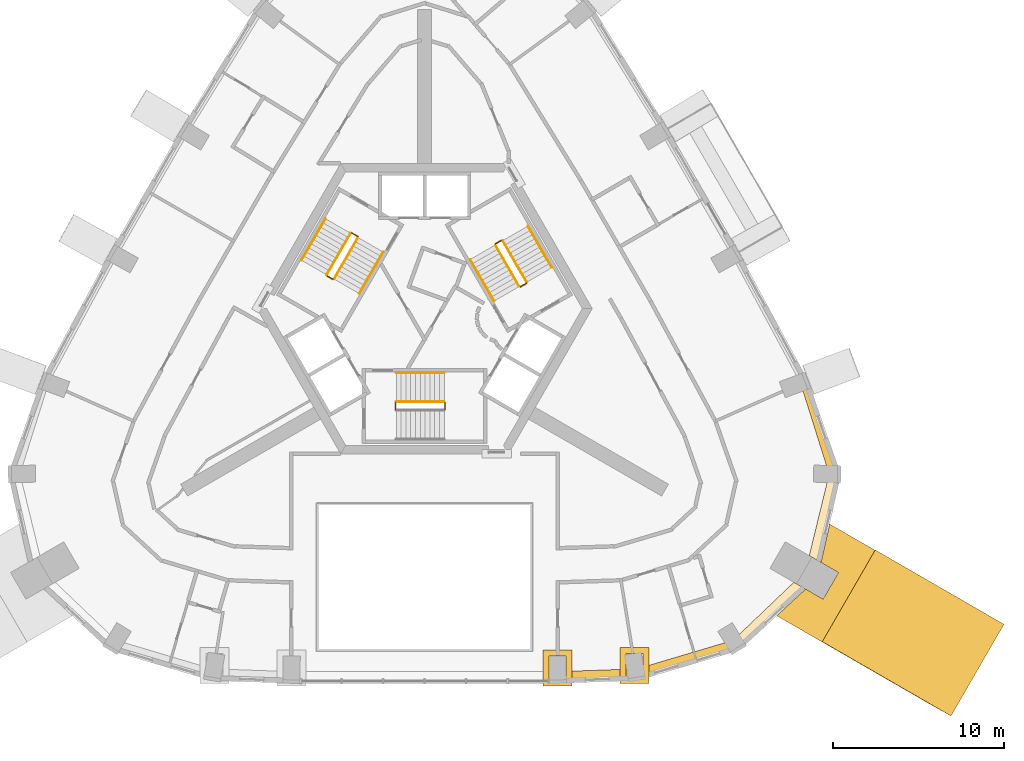
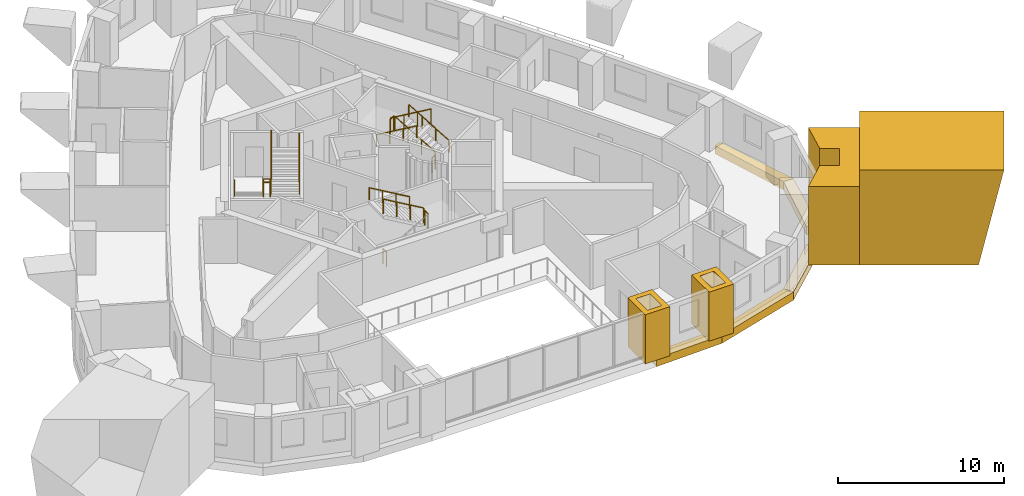
# One storey, part 10 of 11: 16 railings, 9 coverings.
"""IFC4 building model written with IfcOpenShell, lengths in metres."""

from ifc_helpers import new_model, si_unit, direction, frame, origin, origin_2d, place, context, subcontext, project, spatial, polyline, circle, outline, extrude, material, type_object, element, save


model = new_model("IFC4")

# Units and contexts
model_context = context("Model", 3, precision=1e-05, world=origin(), true_north=direction((0.0, 1.0)))
body_context = subcontext(model_context, "Body", "Model", "MODEL_VIEW")
ifc_project = project(units=[si_unit("LENGTHUNIT", "METRE"), si_unit("AREAUNIT", "SQUARE_METRE"), si_unit("VOLUMEUNIT", "CUBIC_METRE"), si_unit("PLANEANGLEUNIT", "RADIAN"), si_unit("MASSUNIT", "GRAM", prefix="KILO")], contexts=[model_context])

# Site, building, storey
site_placement = place(None, origin())
site = spatial("IfcSite", under=ifc_project, at=site_placement, CompositionType="ELEMENT")
building_placement = place(site_placement, origin())
building = spatial("IfcBuilding", under=site, at=building_placement, Name="Entoto Arch Interchange Tower", CompositionType="ELEMENT")
storey_placement = place(building_placement, frame((0.0, 0.0, 318.800048828125)))
storey = spatial("IfcBuildingStorey", under=building, at=storey_placement, Name="L75", CompositionType="ELEMENT", Elevation=318.800048828125)

# Coverings
ifc_material_1 = material(Name="Board-marked precast concrete C50/60", Category="concrete")
covering_type_1 = type_object("IfcCoveringType", Name="PRECAST FRAME COURSE", PredefinedType="CLADDING", material=ifc_material_1)
covering_1_placement = place(storey_placement, frame((0.0, 0.0, -0.340087890625)))
element("IfcCovering", 1, at=covering_1_placement, inside=storey, type_object=covering_type_1, Name="Corner pilaster SE L75-L76", PredefinedType="CLADDING", context=body_context, shape_type="SweptSolid", body=[
    extrude(outline(polyline([(26.364990234375, -11.64208984375), (23.264892578125, -17.011962890625), (20.610107421875, -15.47900390625), (22.302978515625, -13.916015625), (23.324951171875, -14.506103515625), (24.22509765625, -12.947998046875), (23.202880859375, -12.35693359375), (23.7099609375, -10.110107421875), (26.364990234375, -11.64208984375)])), origin(), (0.0, 0.0, 1.0), 5.739990234375),
])
covering_2_placement = place(storey_placement, frame((23.264892578125, -17.011962890625, -0.340087890625), z_axis=(-0.499982571639, -0.866030529873, 0.002923933165), x_axis=(0.866034232125, -0.499984708554, 1.46231e-07)))
element("IfcCovering", 2, at=covering_2_placement, inside=storey, type_object=covering_type_1, Name="Corner rib SE L75-L76", PredefinedType="CLADDING", context=body_context, shape_type="SweptSolid", body=[
    extrude(outline(polyline([(0.0, 0.0), (7.1751573811178675, 0.0), (8.699476716856585, 6.939969800415016), (-0.00036311234002583617, 6.939972121846535), (0.0, 0.0)])), origin(), (0.0, 0.0, -1.0), 6.199951171875),
])
covering_3_placement = place(storey_placement, frame((0.0, 0.0, -0.340087890625)))
element("IfcCovering", 3, at=covering_3_placement, inside=storey, type_object=covering_type_1, Name="Gate pier L75", PredefinedType="CLADDING", context=body_context, shape_type="SweptSolid", body=[
    extrude(outline(polyline([(6.931884765625, -17.47802734375), (8.632080078125, -17.47802734375), (8.632080078125, -19.577880859375), (6.931884765625, -19.577880859375), (6.931884765625, -17.47802734375)]), holes=[polyline([(7.281982421875, -17.827880859375), (7.281982421875, -19.22802734375), (8.281982421875, -19.22802734375), (8.281982421875, -17.827880859375), (7.281982421875, -17.827880859375)])]), origin(), (0.0, 0.0, 1.0), 3.60009765625),
])
covering_4_placement = place(storey_placement, frame((0.0, 0.0, -0.340087890625)))
element("IfcCovering", 4, at=covering_4_placement, inside=storey, type_object=covering_type_1, Name="Gate pier L75", PredefinedType="CLADDING", context=body_context, shape_type="SweptSolid", body=[
    extrude(outline(polyline([(11.447021484375, -17.3349609375), (13.14697265625, -17.3349609375), (13.14697265625, -19.43505859375), (11.447021484375, -19.43505859375), (11.447021484375, -17.3349609375)]), holes=[polyline([(11.797119140625, -17.68505859375), (11.797119140625, -19.0849609375), (12.797119140625, -19.0849609375), (12.797119140625, -17.68505859375), (11.797119140625, -17.68505859375)])]), origin(), (0.0, 0.0, 1.0), 3.60009765625),
])
covering_type_2 = type_object("IfcCoveringType", Name="PRECAST LEDGE COURSE", PredefinedType="CLADDING", material=ifc_material_1)
covering_5_placement = place(storey_placement, frame((0.0, 0.0, -0.93994140625)))
element("IfcCovering", 5, at=covering_5_placement, inside=storey, type_object=covering_type_2, Name="Precast course S-03 L75", PredefinedType="CLADDING", context=body_context, shape_type="SweptSolid", body=[
    extrude(outline(polyline([(12.447998046875, -18.5810546875), (12.447998046875, -19.27197265625), (7.800048828125, -19.427978515625), (7.800048828125, -18.74609375), (12.447998046875, -18.5810546875)])), origin(), (0.0, 0.0, 1.0), 0.599853515625),
])
covering_6_placement = place(storey_placement, frame((0.0, 0.0, -0.93994140625)))
element("IfcCovering", 6, at=covering_6_placement, inside=storey, type_object=covering_type_2, Name="Precast course SE-01 L75", PredefinedType="CLADDING", context=body_context, shape_type="SweptSolid", body=[
    extrude(outline(polyline([(18.05810546875, -16.910888671875), (18.41796875, -17.501953125), (12.447998046875, -19.27197265625), (12.447998046875, -18.5810546875), (18.05810546875, -16.910888671875)])), origin(), (0.0, 0.0, 1.0), 0.599853515625),
])
covering_7_placement = place(storey_placement, frame((0.0, 0.0, -0.93994140625)))
element("IfcCovering", 7, at=covering_7_placement, inside=storey, type_object=covering_type_2, Name="Precast course SE-02 L75", PredefinedType="CLADDING", context=body_context, shape_type="SweptSolid", body=[
    extrude(outline(polyline([(21.611083984375, -13.51708984375), (22.302978515625, -13.916015625), (18.41796875, -17.501953125), (18.05810546875, -16.910888671875), (21.611083984375, -13.51708984375)])), origin(), (0.0, 0.0, 1.0), 0.599853515625),
])
covering_8_placement = place(storey_placement, frame((0.0, 0.0, -0.93994140625)))
element("IfcCovering", 8, at=covering_8_placement, inside=storey, type_object=covering_type_2, Name="Precast course SE-03 L75", PredefinedType="CLADDING", context=body_context, shape_type="SweptSolid", body=[
    extrude(outline(polyline([(23.675048828125, -7.181884765625), (24.365966796875, -7.198974609375), (23.202880859375, -12.35791015625), (22.510986328125, -11.9580078125), (23.675048828125, -7.181884765625)])), origin(), (0.0, 0.0, 1.0), 0.599853515625),
])
covering_9_placement = place(storey_placement, frame((0.0, 0.0, -0.93994140625)))
element("IfcCovering", 9, at=covering_9_placement, inside=storey, type_object=covering_type_2, Name="Precast course SE-04 L75", PredefinedType="CLADDING", context=body_context, shape_type="SweptSolid", body=[
    extrude(outline(polyline([(21.99609375, -1.85205078125), (22.43310546875, -1.68798828125), (24.365966796875, -7.198974609375), (23.675048828125, -7.181884765625), (21.99609375, -1.85205078125)])), origin(), (0.0, 0.0, 1.0), 0.599853515625),
])

# Railings
ifc_material_2 = material(Name="Stainless steel 1.4301", Category="steel")
railing_type_1 = type_object("IfcRailingType", Name="STAIR GUARD 1100 STEEL", PredefinedType="GUARDRAIL", material=ifc_material_2)
railing_1_placement = place(storey_placement, frame((1.199951171875, -3.39990234375, 1.800048828125)))
element("IfcRailing", 10, at=railing_1_placement, inside=storey, type_object=railing_type_1, Name="L75 ST-S stair guard 2", PredefinedType="GUARDRAIL", context=body_context, shape_type="SweptSolid", body=[
    extrude(circle(Radius=0.02392578125, at=origin_2d()), frame((0.0, 0.0, 1.076171875), z_axis=(0.0, 1.0, 0.0), x_axis=(-1.0, 0.0, 0.0)), (0.0, 0.0, 1.0), 0.39990234375),
    extrude(circle(Radius=0.02099609375, at=origin_2d()), origin(), (0.0, 0.0, 1.0), 1.052001953125),
    extrude(circle(Radius=0.02099609375, at=origin_2d()), frame((0.0, 0.39990234375, 0.0)), (0.0, 0.0, 1.0), 1.052001953125),
])
railing_2_placement = place(storey_placement, frame((1.14990234375, -2.949951171875, 1.963623046875)))
element("IfcRailing", 11, at=railing_2_placement, inside=storey, type_object=railing_type_1, Name="L75 ST-S stair guard 3", PredefinedType="GUARDRAIL", context=body_context, shape_type="SweptSolid", body=[
    extrude(circle(Radius=0.02392578125, at=origin_2d()), frame((0.0, 0.0, 1.076171875), z_axis=(-0.863374499697, 0.0, 0.504563646405), x_axis=(0.0, -1.0, 0.0)), (0.0, 0.0, 1.0), 3.242919921875),
    extrude(circle(Radius=0.02099609375, at=origin_2d()), origin(), (0.0, 0.0, 1.0), 1.052001953125),
    extrude(circle(Radius=0.02099609375, at=origin_2d()), frame((-0.933349609375, 0.0, 0.54541015625)), (0.0, 0.0, 1.0), 1.052001953125),
    extrude(circle(Radius=0.02099609375, at=origin_2d()), frame((-1.866455078125, 0.0, 1.0908203125)), (0.0, 0.0, 1.0), 1.052001953125),
    extrude(circle(Radius=0.02099609375, at=origin_2d()), frame((-2.7998046875, 0.0, 1.63623046875)), (0.0, 0.0, 1.0), 1.052001953125),
])
railing_3_placement = place(storey_placement, frame((-1.699951171875, -3.39990234375, 0.0)))
element("IfcRailing", 12, at=railing_3_placement, inside=storey, type_object=railing_type_1, Name="L75 ST-S stair guard 4", PredefinedType="GUARDRAIL", context=body_context, shape_type="SweptSolid", body=[
    extrude(circle(Radius=0.02392578125, at=origin_2d()), frame((0.0, 0.0, 1.076171875), z_axis=(0.0, 1.0, 0.0), x_axis=(-1.0, 0.0, 0.0)), (0.0, 0.0, 1.0), 0.39990234375),
    extrude(circle(Radius=0.02099609375, at=origin_2d()), origin(), (0.0, 0.0, 1.0), 1.052001953125),
    extrude(circle(Radius=0.02099609375, at=origin_2d()), frame((0.0, 0.39990234375, 0.0)), (0.0, 0.0, 1.0), 1.052001953125),
])
railing_4_placement = place(storey_placement, frame((5.977783203125, 4.046142578125, 0.16357421875)))
element("IfcRailing", 13, at=railing_4_placement, inside=storey, type_object=railing_type_1, Name="L75 ST-NE stair guard 1", PredefinedType="GUARDRAIL", context=body_context, shape_type="SweptSolid", body=[
    extrude(circle(Radius=0.02392578125, at=origin_2d()), frame((0.0, 0.0, 1.076171875), z_axis=(-0.431660630283, 0.747689811644, 0.504607813879), x_axis=(-0.866034573852, -0.49998411664, 0.0)), (0.0, 0.0, 1.0), 3.2431640625),
    extrude(circle(Radius=0.02099609375, at=origin_2d()), origin(), (0.0, 0.0, 1.0), 1.052001953125),
    extrude(circle(Radius=0.02099609375, at=origin_2d()), frame((-0.466552734375, 0.808349609375, 0.54541015625)), (0.0, 0.0, 1.0), 1.052001953125),
    extrude(circle(Radius=0.02099609375, at=origin_2d()), frame((-0.933349609375, 1.616455078125, 1.091064453125)), (0.0, 0.0, 1.0), 1.052001953125),
    extrude(circle(Radius=0.02099609375, at=origin_2d()), frame((-1.39990234375, 2.4248046875, 1.636474609375)), (0.0, 0.0, 1.0), 1.052001953125),
])
railing_5_placement = place(storey_placement, frame((4.509521484375, 6.4892578125, 1.800048828125)))
element("IfcRailing", 14, at=railing_5_placement, inside=storey, type_object=railing_type_1, Name="L75 ST-NE stair guard 2", PredefinedType="GUARDRAIL", context=body_context, shape_type="SweptSolid", body=[
    extrude(circle(Radius=0.02392578125, at=origin_2d()), frame((0.0, 0.0, 1.076171875), z_axis=(-0.866094119867, -0.499880961361, 0.0), x_axis=(0.499880961361, -0.866094119867, 0.0)), (0.0, 0.0, 1.0), 0.39990234375),
    extrude(circle(Radius=0.02099609375, at=origin_2d()), origin(), (0.0, 0.0, 1.0), 1.052001953125),
    extrude(circle(Radius=0.02099609375, at=origin_2d()), frame((-0.346435546875, -0.199951171875, 0.0)), (0.0, 0.0, 1.0), 1.052001953125),
])
railing_6_placement = place(storey_placement, frame((4.144775390625, 6.220947265625, 1.963623046875)))
element("IfcRailing", 15, at=railing_6_placement, inside=storey, type_object=railing_type_1, Name="L75 ST-NE stair guard 3", PredefinedType="GUARDRAIL", context=body_context, shape_type="SweptSolid", body=[
    extrude(circle(Radius=0.02392578125, at=origin_2d()), frame((0.0, 0.0, 1.076171875), z_axis=(0.431738279637, -0.747693913401, 0.504535300807), x_axis=(0.865996816683, 0.500049511043, 0.0)), (0.0, 0.0, 1.0), 3.2431640625),
    extrude(circle(Radius=0.02099609375, at=origin_2d()), origin(), (0.0, 0.0, 1.0), 1.052001953125),
    extrude(circle(Radius=0.02099609375, at=origin_2d()), frame((0.466796875, -0.808349609375, 0.54541015625)), (0.0, 0.0, 1.0), 1.052001953125),
    extrude(circle(Radius=0.02099609375, at=origin_2d()), frame((0.933349609375, -1.616455078125, 1.0908203125)), (0.0, 0.0, 1.0), 1.052001953125),
    extrude(circle(Radius=0.02099609375, at=origin_2d()), frame((1.400146484375, -2.4248046875, 1.63623046875)), (0.0, 0.0, 1.0), 1.052001953125),
])
railing_7_placement = place(storey_placement, frame((5.95947265625, 3.977783203125, 0.0)))
element("IfcRailing", 16, at=railing_7_placement, inside=storey, type_object=railing_type_1, Name="L75 ST-NE stair guard 4", PredefinedType="GUARDRAIL", context=body_context, shape_type="SweptSolid", body=[
    extrude(circle(Radius=0.02392578125, at=origin_2d()), frame((0.0, 0.0, 1.076171875), z_axis=(-0.866094119867, -0.499880961361, 0.0), x_axis=(0.499880961361, -0.866094119867, 0.0)), (0.0, 0.0, 1.0), 0.39990234375),
    extrude(circle(Radius=0.02099609375, at=origin_2d()), origin(), (0.0, 0.0, 1.0), 1.052001953125),
    extrude(circle(Radius=0.02099609375, at=origin_2d()), frame((-0.346435546875, -0.199951171875, 0.0)), (0.0, 0.0, 1.0), 1.052001953125),
])
railing_8_placement = place(storey_placement, frame((-4.327880859375, 6.904052734375, 0.16357421875)))
element("IfcRailing", 17, at=railing_8_placement, inside=storey, type_object=railing_type_1, Name="L75 ST-NW stair guard 1", PredefinedType="GUARDRAIL", context=body_context, shape_type="SweptSolid", body=[
    extrude(circle(Radius=0.02392578125, at=origin_2d()), frame((0.0, 0.0, 1.076171875), z_axis=(-0.431636334334, -0.747723004699, 0.504579412111), x_axis=(0.866056369097, -0.49994636267, 0.0)), (0.0, 0.0, 1.0), 3.2431640625),
    extrude(circle(Radius=0.02099609375, at=origin_2d()), origin(), (0.0, 0.0, 1.0), 1.052001953125),
    extrude(circle(Radius=0.02099609375, at=origin_2d()), frame((-0.466552734375, -0.808349609375, 0.54541015625)), (0.0, 0.0, 1.0), 1.052001953125),
    extrude(circle(Radius=0.02099609375, at=origin_2d()), frame((-0.933349609375, -1.61669921875, 1.091064453125)), (0.0, 0.0, 1.0), 1.052001953125),
    extrude(circle(Radius=0.02099609375, at=origin_2d()), frame((-1.39990234375, -2.425048828125, 1.636474609375)), (0.0, 0.0, 1.0), 1.052001953125),
])
railing_9_placement = place(storey_placement, frame((-5.70947265625, 4.410888671875, 1.800048828125)))
element("IfcRailing", 18, at=railing_9_placement, inside=storey, type_object=railing_type_1, Name="L75 ST-NW stair guard 2", PredefinedType="GUARDRAIL", context=body_context, shape_type="SweptSolid", body=[
    extrude(circle(Radius=0.02392578125, at=origin_2d()), frame((0.0, 0.0, 1.076171875), z_axis=(0.865829829939, -0.500338590944, 0.0), x_axis=(0.500338590944, 0.865829829939, 0.0)), (0.0, 0.0, 1.0), 0.400146484375),
    extrude(circle(Radius=0.02099609375, at=origin_2d()), origin(), (0.0, 0.0, 1.0), 1.052001953125),
    extrude(circle(Radius=0.02099609375, at=origin_2d()), frame((0.346435546875, -0.2001953125, 0.0)), (0.0, 0.0, 1.0), 1.052001953125),
])
railing_10_placement = place(storey_placement, frame((-5.294921875, 4.22900390625, 1.963623046875)))
element("IfcRailing", 19, at=railing_10_placement, inside=storey, type_object=railing_type_1, Name="L75 ST-NW stair guard 3", PredefinedType="GUARDRAIL", context=body_context, shape_type="SweptSolid", body=[
    extrude(circle(Radius=0.02392578125, at=origin_2d()), frame((0.0, 0.0, 1.076171875), z_axis=(0.431713979052, 0.747727106176, 0.504506902808), x_axis=(-0.866018616679, 0.500011755427, 0.0)), (0.0, 0.0, 1.0), 3.2431640625),
    extrude(circle(Radius=0.02099609375, at=origin_2d()), origin(), (0.0, 0.0, 1.0), 1.052001953125),
    extrude(circle(Radius=0.02099609375, at=origin_2d()), frame((0.466796875, 0.808349609375, 0.54541015625)), (0.0, 0.0, 1.0), 1.052001953125),
    extrude(circle(Radius=0.02099609375, at=origin_2d()), frame((0.933349609375, 1.61669921875, 1.0908203125)), (0.0, 0.0, 1.0), 1.052001953125),
    extrude(circle(Radius=0.02099609375, at=origin_2d()), frame((1.400146484375, 2.425048828125, 1.63623046875)), (0.0, 0.0, 1.0), 1.052001953125),
])
railing_11_placement = place(storey_placement, frame((-4.259521484375, 6.92236328125, 0.0)))
element("IfcRailing", 20, at=railing_11_placement, inside=storey, type_object=railing_type_1, Name="L75 ST-NW stair guard 4", PredefinedType="GUARDRAIL", context=body_context, shape_type="SweptSolid", body=[
    extrude(circle(Radius=0.02392578125, at=origin_2d()), frame((0.0, 0.0, 1.076171875), z_axis=(0.865829829939, -0.500338590944, 0.0), x_axis=(0.500338590944, 0.865829829939, 0.0)), (0.0, 0.0, 1.0), 0.400146484375),
    extrude(circle(Radius=0.02099609375, at=origin_2d()), origin(), (0.0, 0.0, 1.0), 1.052001953125),
    extrude(circle(Radius=0.02099609375, at=origin_2d()), frame((0.346435546875, -0.2001953125, 0.0)), (0.0, 0.0, 1.0), 1.052001953125),
])
railing_type_2 = type_object("IfcRailingType", Name="STAIR HANDRAIL 900 STEEL", PredefinedType="HANDRAIL", material=ifc_material_2)
railing_12_placement = place(storey_placement, frame((1.14990234375, -1.25, 1.963623046875)))
element("IfcRailing", 21, at=railing_12_placement, inside=storey, type_object=railing_type_2, Name="L75 ST-S stair handrail 2", PredefinedType="HANDRAIL", context=body_context, shape_type="SweptSolid", body=[
    extrude(circle(Radius=0.02392578125, at=origin_2d()), frame((0.0, 0.0, 0.8759765625), z_axis=(-0.863374499697, 0.0, 0.504563646405), x_axis=(0.0, -1.0, 0.0)), (0.0, 0.0, 1.0), 3.242919921875),
    extrude(circle(Radius=0.02099609375, at=origin_2d()), origin(), (0.0, 0.0, 1.0), 0.851806640625),
    extrude(circle(Radius=0.02099609375, at=origin_2d()), frame((-0.933349609375, 0.0, 0.54541015625)), (0.0, 0.0, 1.0), 0.851806640625),
    extrude(circle(Radius=0.02099609375, at=origin_2d()), frame((-1.866455078125, 0.0, 1.0908203125)), (0.0, 0.0, 1.0), 0.851806640625),
    extrude(circle(Radius=0.02099609375, at=origin_2d()), frame((-2.7998046875, 0.0, 1.63623046875)), (0.0, 0.0, 1.0), 0.851806640625),
])
railing_13_placement = place(storey_placement, frame((7.4501953125, 4.89599609375, 0.16357421875)))
element("IfcRailing", 22, at=railing_13_placement, inside=storey, type_object=railing_type_2, Name="L75 ST-NE stair handrail 1", PredefinedType="HANDRAIL", context=body_context, shape_type="SweptSolid", body=[
    extrude(circle(Radius=0.02392578125, at=origin_2d()), frame((0.0, 0.0, 0.8759765625), z_axis=(-0.431697583215, 0.747698708645, 0.504563016616), x_axis=(-0.866018616679, -0.500011755427, 0.0)), (0.0, 0.0, 1.0), 3.243408203125),
    extrude(circle(Radius=0.02099609375, at=origin_2d()), origin(), (0.0, 0.0, 1.0), 0.851806640625),
    extrude(circle(Radius=0.02099609375, at=origin_2d()), frame((-0.466796875, 0.808349609375, 0.54541015625)), (0.0, 0.0, 1.0), 0.851806640625),
    extrude(circle(Radius=0.02099609375, at=origin_2d()), frame((-0.933349609375, 1.61669921875, 1.091064453125)), (0.0, 0.0, 1.0), 0.851806640625),
    extrude(circle(Radius=0.02099609375, at=origin_2d()), frame((-1.400146484375, 2.425048828125, 1.636474609375)), (0.0, 0.0, 1.0), 0.851806640625),
])
railing_14_placement = place(storey_placement, frame((2.672607421875, 5.370849609375, 1.963623046875)))
element("IfcRailing", 23, at=railing_14_placement, inside=storey, type_object=railing_type_2, Name="L75 ST-NE stair handrail 2", PredefinedType="HANDRAIL", context=body_context, shape_type="SweptSolid", body=[
    extrude(circle(Radius=0.02392578125, at=origin_2d()), frame((0.0, 0.0, 0.8759765625), z_axis=(0.431677027627, -0.74771821388, 0.504551698492), x_axis=(0.866034573852, 0.49998411664, 0.0)), (0.0, 0.0, 1.0), 3.242919921875),
    extrude(circle(Radius=0.02099609375, at=origin_2d()), origin(), (0.0, 0.0, 1.0), 0.851806640625),
    extrude(circle(Radius=0.02099609375, at=origin_2d()), frame((0.466552734375, -0.808349609375, 0.54541015625)), (0.0, 0.0, 1.0), 0.851806640625),
    extrude(circle(Radius=0.02099609375, at=origin_2d()), frame((0.933349609375, -1.616455078125, 1.0908203125)), (0.0, 0.0, 1.0), 0.851806640625),
    extrude(circle(Radius=0.02099609375, at=origin_2d()), frame((1.39990234375, -2.4248046875, 1.63623046875)), (0.0, 0.0, 1.0), 0.851806640625),
])
railing_15_placement = place(storey_placement, frame((-5.800048828125, 7.75390625, 0.16357421875)))
element("IfcRailing", 24, at=railing_15_placement, inside=storey, type_object=railing_type_2, Name="L75 ST-NW stair handrail 1", PredefinedType="HANDRAIL", context=body_context, shape_type="SweptSolid", body=[
    extrude(circle(Radius=0.02392578125, at=origin_2d()), frame((0.0, 0.0, 0.8759765625), z_axis=(-0.431721881032, -0.747665513933, 0.504591415616), x_axis=(0.865996816683, -0.500049511043, 0.0)), (0.0, 0.0, 1.0), 3.2431640625),
    extrude(circle(Radius=0.02099609375, at=origin_2d()), origin(), (0.0, 0.0, 1.0), 0.851806640625),
    extrude(circle(Radius=0.02099609375, at=origin_2d()), frame((-0.466796875, -0.808349609375, 0.54541015625)), (0.0, 0.0, 1.0), 0.851806640625),
    extrude(circle(Radius=0.02099609375, at=origin_2d()), frame((-0.933349609375, -1.616455078125, 1.091064453125)), (0.0, 0.0, 1.0), 0.851806640625),
    extrude(circle(Radius=0.02099609375, at=origin_2d()), frame((-1.400146484375, -2.4248046875, 1.636474609375)), (0.0, 0.0, 1.0), 0.851806640625),
])
railing_16_placement = place(storey_placement, frame((-3.822509765625, 3.379150390625, 1.963623046875)))
element("IfcRailing", 25, at=railing_16_placement, inside=storey, type_object=railing_type_2, Name="L75 ST-NW stair handrail 2", PredefinedType="HANDRAIL", context=body_context, shape_type="SweptSolid", body=[
    extrude(circle(Radius=0.02392578125, at=origin_2d()), frame((0.0, 0.0, 0.8759765625), z_axis=(0.431677027627, 0.74771821388, 0.504551698492), x_axis=(-0.866034573852, 0.49998411664, 0.0)), (0.0, 0.0, 1.0), 3.242919921875),
    extrude(circle(Radius=0.02099609375, at=origin_2d()), origin(), (0.0, 0.0, 1.0), 0.851806640625),
    extrude(circle(Radius=0.02099609375, at=origin_2d()), frame((0.466552734375, 0.808349609375, 0.54541015625)), (0.0, 0.0, 1.0), 0.851806640625),
    extrude(circle(Radius=0.02099609375, at=origin_2d()), frame((0.933349609375, 1.616455078125, 1.0908203125)), (0.0, 0.0, 1.0), 0.851806640625),
    extrude(circle(Radius=0.02099609375, at=origin_2d()), frame((1.39990234375, 2.4248046875, 1.63623046875)), (0.0, 0.0, 1.0), 0.851806640625),
])

save(model, "model.ifc")
